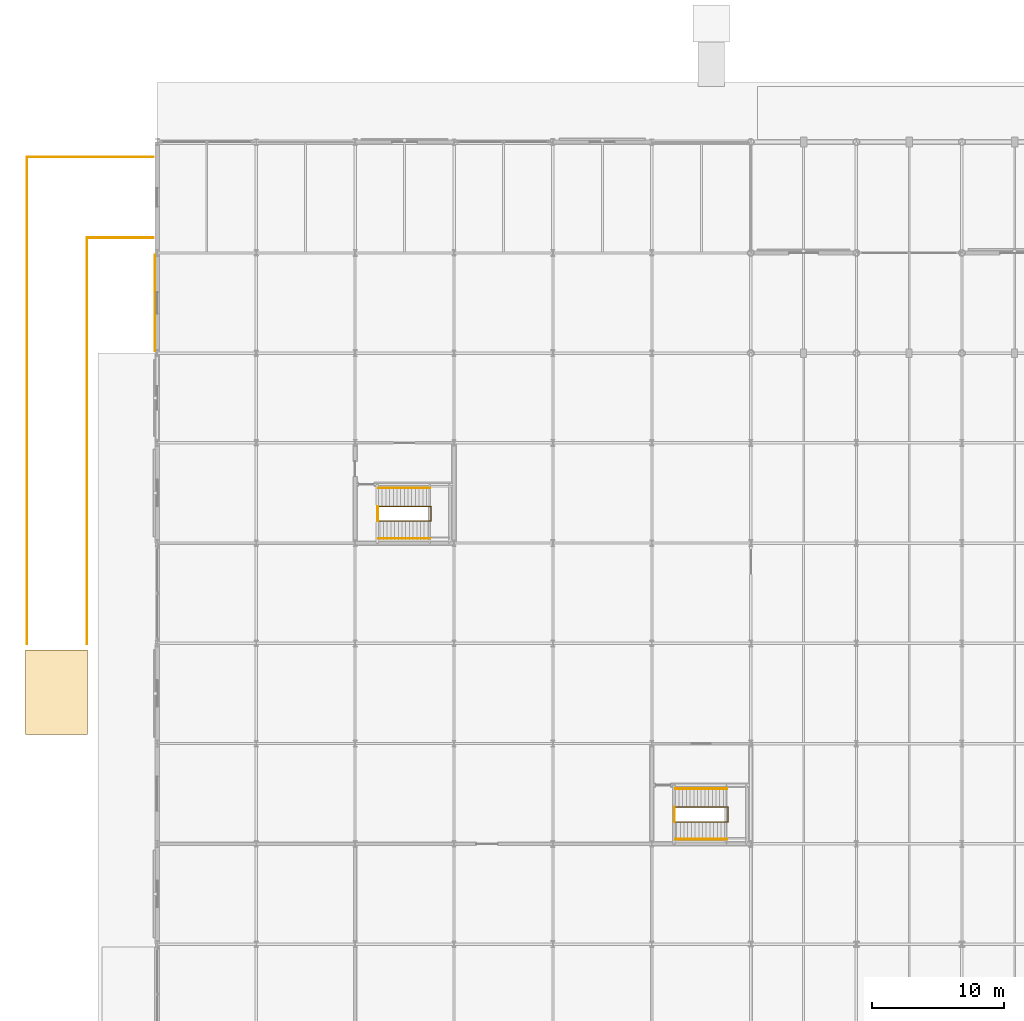
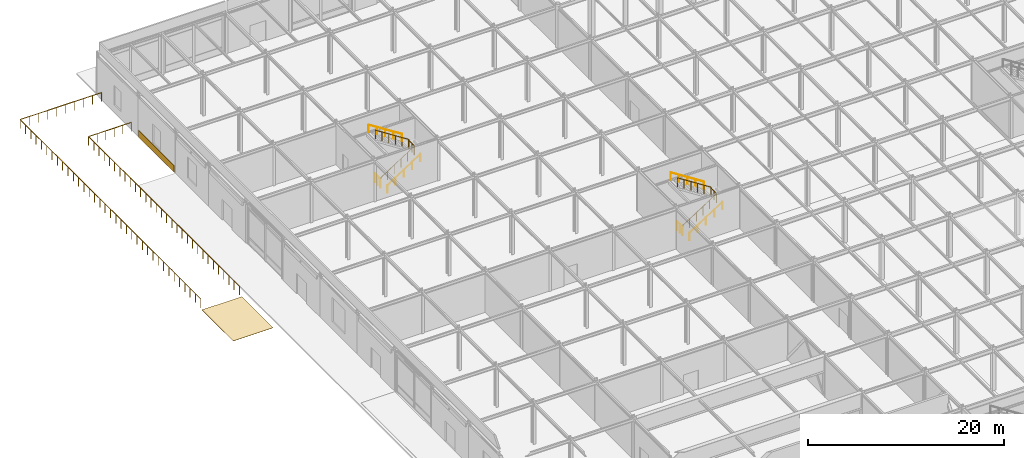
# One storey, part 84 of 89: 10 railings, 2 coverings.
"""IFC4 building model written with IfcOpenShell, lengths in metres."""

from ifc_helpers import new_model, si_unit, direction, frame, origin, origin_2d, place, context, subcontext, project, spatial, polyline, rectangle, circle, outline, extrude, material, layer, layer_set, type_object, element, save


model = new_model("IFC4")

# Units and contexts
model_context = context("Model", 3, precision=1e-05, world=origin(), true_north=direction((0.0, 1.0)))
body_context = subcontext(model_context, "Body", "Model", "MODEL_VIEW")
ifc_project = project(units=[si_unit("LENGTHUNIT", "METRE"), si_unit("AREAUNIT", "SQUARE_METRE"), si_unit("VOLUMEUNIT", "CUBIC_METRE"), si_unit("PLANEANGLEUNIT", "RADIAN"), si_unit("MASSUNIT", "GRAM", prefix="KILO")], contexts=[model_context])

# Site, building, storey
site_placement = place(None, origin())
site = spatial("IfcSite", under=ifc_project, at=site_placement, CompositionType="ELEMENT")
building_placement = place(site_placement, origin())
building = spatial("IfcBuilding", under=site, at=building_placement, Name="Shalkamar Park Central Library", CompositionType="ELEMENT")
storey_placement = place(building_placement, origin())
storey = spatial("IfcBuildingStorey", under=building, at=storey_placement, Name="L01", CompositionType="ELEMENT", Elevation=0.0)

# Coverings
ifc_material_1 = material(Name="Flamed grey granite paving", Category="masonry")
ifc_layer_1 = layer(ifc_material_1, 0.0400390625)
ifc_layer_set_1 = layer_set([ifc_layer_1], Name="FlamedGranitePlazaPaving")
covering_type_1 = type_object("IfcCoveringType", Name="Flamed Granite Plaza Paving", PredefinedType="FLOORING", material=ifc_layer_set_1)
covering_1_placement = place(storey_placement, origin())
element("IfcCovering", 1, at=covering_1_placement, inside=storey, type_object=covering_type_1, Name="West Car Park Ramp Grade Driveway Apron Paving", PredefinedType="FLOORING", context=body_context, shape_type="SweptSolid", body=[
    extrude(outline(polyline([(110.0, 309.10009765625), (114.699951171875, 309.10009765625), (114.699951171875, 315.5), (110.0, 315.5), (110.0, 309.10009765625)])), origin(), (0.0, 0.0, 1.0), 0.030029296875),
])
ifc_material_2 = material(Name="Granite and travertine stone cladding", Category="masonry")
ifc_layer_2 = layer(ifc_material_2, 0.0400390625)
ifc_layer_set_2 = layer_set([ifc_layer_2], Name="GraniteTravertineCladdingPanel")
covering_type_2 = type_object("IfcCoveringType", Name="Granite Travertine Cladding Panel", PredefinedType="CLADDING", material=ifc_layer_set_2)
covering_2_placement = place(storey_placement, frame((119.823974609375, 341.800048828125, 0.0), z_axis=(0.0, 0.0, 1.0), x_axis=(1.0, 0.0, 0.0)))
element("IfcCovering", 2, at=covering_2_placement, inside=storey, type_object=covering_type_2, Name="Granite and Travertine Cladding Panel L01-005", PredefinedType="CLADDING", context=body_context, shape_type="SweptSolid", body=[
    extrude(rectangle(XDim=0.0400390625, YDim=7.2880859375, at=origin_2d()), origin(), (0.0, 0.0, 1.0), 0.85009765625),
])

# Railings
ifc_material_3 = material(Name="Steel S355", Category="steel")
railing_type_1 = type_object("IfcRailingType", Name="Stair Guardrail 1100", PredefinedType="GUARDRAIL", material=ifc_material_3)
railing_1_placement = place(storey_placement, frame((159.27490234375, 302.465087890625, 0.179931640625)))
element("IfcRailing", 3, at=railing_1_placement, inside=storey, type_object=railing_type_1, Name="Stair Inner Well Guardrail ST-P2-L01", PredefinedType="GUARDRAIL", context=body_context, shape_type="SweptSolid", body=[
    extrude(circle(Radius=0.02392578125, at=origin_2d()), frame((0.0, 0.0, 1.076171875), z_axis=(0.841186985886, 0.0, 0.540744352514), x_axis=(0.0, 1.0, 0.0)), (0.0, 0.0, 1.0), 4.660400390625),
    extrude(circle(Radius=0.02392578125, at=origin_2d()), frame((3.920166015625, 0.0, 3.59619140625), z_axis=(1.0, 0.0, 0.0), x_axis=(0.0, 1.0, 0.0)), (0.0, 0.0, 1.0), 0.059814453125),
    extrude(circle(Radius=0.02392578125, at=origin_2d()), frame((3.97998046875, 0.0, 3.59619140625), z_axis=(0.0, 1.0, 0.0), x_axis=(-1.0, 0.0, 0.0)), (0.0, 0.0, 1.0), 1.119873046875),
    extrude(circle(Radius=0.02392578125, at=origin_2d()), frame((3.97998046875, 1.119873046875, 3.59619140625), z_axis=(-0.31545511802, 0.0, 0.948940497879), x_axis=(0.0, -1.0, 0.0)), (0.0, 0.0, 1.0), 0.189697265625),
    extrude(circle(Radius=0.02392578125, at=origin_2d()), frame((3.920166015625, 1.119873046875, 3.77587890625), z_axis=(-0.841186985886, 0.0, 0.540744352514), x_axis=(0.0, -1.0, 0.0)), (0.0, 0.0, 1.0), 4.660400390625),
    extrude(circle(Radius=0.02099609375, at=origin_2d()), origin(), (0.0, 0.0, 1.0), 1.052001953125),
    extrude(circle(Radius=0.02099609375, at=origin_2d()), frame((0.783935546875, 0.0, 0.50390625)), (0.0, 0.0, 1.0), 1.052001953125),
    extrude(circle(Radius=0.02099609375, at=origin_2d()), frame((1.568115234375, 0.0, 1.008056640625)), (0.0, 0.0, 1.0), 1.052001953125),
    extrude(circle(Radius=0.02099609375, at=origin_2d()), frame((2.35205078125, 0.0, 1.511962890625)), (0.0, 0.0, 1.0), 1.052001953125),
    extrude(circle(Radius=0.02099609375, at=origin_2d()), frame((3.13623046875, 0.0, 2.01611328125)), (0.0, 0.0, 1.0), 1.052001953125),
    extrude(circle(Radius=0.02099609375, at=origin_2d()), frame((3.920166015625, 0.0, 2.52001953125)), (0.0, 0.0, 1.0), 1.052001953125),
    extrude(circle(Radius=0.02099609375, at=origin_2d()), frame((3.97998046875, 0.0, 2.52001953125)), (0.0, 0.0, 1.0), 1.052001953125),
    extrude(circle(Radius=0.02099609375, at=origin_2d()), frame((3.97998046875, 0.56005859375, 2.52001953125)), (0.0, 0.0, 1.0), 1.052001953125),
    extrude(circle(Radius=0.02099609375, at=origin_2d()), frame((3.97998046875, 1.119873046875, 2.52001953125)), (0.0, 0.0, 1.0), 1.052001953125),
    extrude(circle(Radius=0.02099609375, at=origin_2d()), frame((3.920166015625, 1.119873046875, 2.699951171875)), (0.0, 0.0, 1.0), 1.052001953125),
    extrude(circle(Radius=0.02099609375, at=origin_2d()), frame((3.13623046875, 1.119873046875, 3.203857421875)), (0.0, 0.0, 1.0), 1.052001953125),
    extrude(circle(Radius=0.02099609375, at=origin_2d()), frame((2.35205078125, 1.119873046875, 3.7080078125)), (0.0, 0.0, 1.0), 1.052001953125),
    extrude(circle(Radius=0.02099609375, at=origin_2d()), frame((1.568115234375, 1.119873046875, 4.2119140625)), (0.0, 0.0, 1.0), 1.052001953125),
    extrude(circle(Radius=0.02099609375, at=origin_2d()), frame((0.783935546875, 1.119873046875, 4.716064453125)), (0.0, 0.0, 1.0), 1.052001953125),
    extrude(circle(Radius=0.02099609375, at=origin_2d()), frame((0.0, 1.119873046875, 5.219970703125)), (0.0, 0.0, 1.0), 1.052001953125),
])
railing_2_placement = place(storey_placement, frame((159.215087890625, 302.47509765625, 0.0)))
element("IfcRailing", 4, at=railing_2_placement, inside=storey, type_object=railing_type_1, Name="Stair Arrival Well Guardrail ST-P2 (L01)", PredefinedType="GUARDRAIL", context=body_context, shape_type="SweptSolid", body=[
    extrude(circle(Radius=0.02392578125, at=origin_2d()), frame((0.0, 0.0, 1.076171875), z_axis=(0.0, 1.0, 0.0), x_axis=(-1.0, 0.0, 0.0)), (0.0, 0.0, 1.0), 1.099853515625),
    extrude(circle(Radius=0.02099609375, at=origin_2d()), origin(), (0.0, 0.0, 1.0), 1.052001953125),
    extrude(circle(Radius=0.02099609375, at=origin_2d()), frame((0.0, 0.5498046875, 0.0)), (0.0, 0.0, 1.0), 1.052001953125),
    extrude(circle(Radius=0.02099609375, at=origin_2d()), frame((0.0, 1.099853515625, 0.0)), (0.0, 0.0, 1.0), 1.052001953125),
])
railing_3_placement = place(storey_placement, frame((136.77490234375, 325.264892578125, 0.179931640625)))
element("IfcRailing", 5, at=railing_3_placement, inside=storey, type_object=railing_type_1, Name="Stair Inner Well Guardrail ST-P5-L01", PredefinedType="GUARDRAIL", context=body_context, shape_type="SweptSolid", body=[
    extrude(circle(Radius=0.02392578125, at=origin_2d()), frame((0.0, 0.0, 1.076171875), z_axis=(0.841186985886, 0.0, 0.540744352514), x_axis=(0.0, 1.0, 0.0)), (0.0, 0.0, 1.0), 4.660400390625),
    extrude(circle(Radius=0.02392578125, at=origin_2d()), frame((3.920166015625, 0.0, 3.59619140625), z_axis=(1.0, 0.0, 0.0), x_axis=(0.0, 1.0, 0.0)), (0.0, 0.0, 1.0), 0.059814453125),
    extrude(circle(Radius=0.02392578125, at=origin_2d()), frame((3.97998046875, 0.0, 3.59619140625), z_axis=(0.0, 1.0, 0.0), x_axis=(-1.0, 0.0, 0.0)), (0.0, 0.0, 1.0), 1.1201171875),
    extrude(circle(Radius=0.02392578125, at=origin_2d()), frame((3.97998046875, 1.1201171875, 3.59619140625), z_axis=(-0.31545511802, 0.0, 0.948940497879), x_axis=(0.0, -1.0, 0.0)), (0.0, 0.0, 1.0), 0.189697265625),
    extrude(circle(Radius=0.02392578125, at=origin_2d()), frame((3.920166015625, 1.1201171875, 3.77587890625), z_axis=(-0.841186985886, 0.0, 0.540744352514), x_axis=(0.0, -1.0, 0.0)), (0.0, 0.0, 1.0), 4.660400390625),
    extrude(circle(Radius=0.02099609375, at=origin_2d()), origin(), (0.0, 0.0, 1.0), 1.052001953125),
    extrude(circle(Radius=0.02099609375, at=origin_2d()), frame((0.783935546875, 0.0, 0.50390625)), (0.0, 0.0, 1.0), 1.052001953125),
    extrude(circle(Radius=0.02099609375, at=origin_2d()), frame((1.568115234375, 0.0, 1.008056640625)), (0.0, 0.0, 1.0), 1.052001953125),
    extrude(circle(Radius=0.02099609375, at=origin_2d()), frame((2.35205078125, 0.0, 1.511962890625)), (0.0, 0.0, 1.0), 1.052001953125),
    extrude(circle(Radius=0.02099609375, at=origin_2d()), frame((3.13623046875, 0.0, 2.01611328125)), (0.0, 0.0, 1.0), 1.052001953125),
    extrude(circle(Radius=0.02099609375, at=origin_2d()), frame((3.920166015625, 0.0, 2.52001953125)), (0.0, 0.0, 1.0), 1.052001953125),
    extrude(circle(Radius=0.02099609375, at=origin_2d()), frame((3.97998046875, 0.0, 2.52001953125)), (0.0, 0.0, 1.0), 1.052001953125),
    extrude(circle(Radius=0.02099609375, at=origin_2d()), frame((3.97998046875, 0.56005859375, 2.52001953125)), (0.0, 0.0, 1.0), 1.052001953125),
    extrude(circle(Radius=0.02099609375, at=origin_2d()), frame((3.97998046875, 1.1201171875, 2.52001953125)), (0.0, 0.0, 1.0), 1.052001953125),
    extrude(circle(Radius=0.02099609375, at=origin_2d()), frame((3.920166015625, 1.1201171875, 2.699951171875)), (0.0, 0.0, 1.0), 1.052001953125),
    extrude(circle(Radius=0.02099609375, at=origin_2d()), frame((3.13623046875, 1.1201171875, 3.203857421875)), (0.0, 0.0, 1.0), 1.052001953125),
    extrude(circle(Radius=0.02099609375, at=origin_2d()), frame((2.35205078125, 1.1201171875, 3.7080078125)), (0.0, 0.0, 1.0), 1.052001953125),
    extrude(circle(Radius=0.02099609375, at=origin_2d()), frame((1.568115234375, 1.1201171875, 4.2119140625)), (0.0, 0.0, 1.0), 1.052001953125),
    extrude(circle(Radius=0.02099609375, at=origin_2d()), frame((0.783935546875, 1.1201171875, 4.716064453125)), (0.0, 0.0, 1.0), 1.052001953125),
    extrude(circle(Radius=0.02099609375, at=origin_2d()), frame((0.0, 1.1201171875, 5.219970703125)), (0.0, 0.0, 1.0), 1.052001953125),
])
railing_4_placement = place(storey_placement, frame((136.715087890625, 325.27490234375, 0.0)))
element("IfcRailing", 6, at=railing_4_placement, inside=storey, type_object=railing_type_1, Name="Stair Arrival Well Guardrail ST-P5 (L01)", PredefinedType="GUARDRAIL", context=body_context, shape_type="SweptSolid", body=[
    extrude(circle(Radius=0.02392578125, at=origin_2d()), frame((0.0, 0.0, 1.076171875), z_axis=(0.0, 1.0, 0.0), x_axis=(-1.0, 0.0, 0.0)), (0.0, 0.0, 1.0), 1.10009765625),
    extrude(circle(Radius=0.02099609375, at=origin_2d()), origin(), (0.0, 0.0, 1.0), 1.052001953125),
    extrude(circle(Radius=0.02099609375, at=origin_2d()), frame((0.0, 0.550048828125, 0.0)), (0.0, 0.0, 1.0), 1.052001953125),
    extrude(circle(Radius=0.02099609375, at=origin_2d()), frame((0.0, 1.10009765625, 0.0)), (0.0, 0.0, 1.0), 1.052001953125),
])
railing_type_2 = type_object("IfcRailingType", Name="Stair Pitched Handrail 920", PredefinedType="HANDRAIL", material=ifc_material_3)
railing_5_placement = place(storey_placement, frame((159.27490234375, 301.155029296875, 0.179931640625)))
element("IfcRailing", 7, at=railing_5_placement, inside=storey, type_object=railing_type_2, Name="Stair Wall Handrail ST-P2-L01 Flight 1", PredefinedType="HANDRAIL", context=body_context, shape_type="SweptSolid", body=[
    extrude(circle(Radius=0.02392578125, at=origin_2d()), frame((0.0, 0.0, 0.89599609375), z_axis=(0.841186985886, 0.0, 0.540744352514), x_axis=(0.0, 1.0, 0.0)), (0.0, 0.0, 1.0), 4.660400390625),
    extrude(circle(Radius=0.02099609375, at=origin_2d()), origin(), (0.0, 0.0, 1.0), 0.871826171875),
    extrude(circle(Radius=0.02099609375, at=origin_2d()), frame((0.97998046875, 0.0, 0.6298828125)), (0.0, 0.0, 1.0), 0.871826171875),
    extrude(circle(Radius=0.02099609375, at=origin_2d()), frame((1.9599609375, 0.0, 1.260009765625)), (0.0, 0.0, 1.0), 0.871826171875),
    extrude(circle(Radius=0.02099609375, at=origin_2d()), frame((2.940185546875, 0.0, 1.89013671875)), (0.0, 0.0, 1.0), 0.871826171875),
    extrude(circle(Radius=0.02099609375, at=origin_2d()), frame((3.920166015625, 0.0, 2.52001953125)), (0.0, 0.0, 1.0), 0.871826171875),
])
railing_6_placement = place(storey_placement, frame((163.195068359375, 304.97509765625, 2.8798828125)))
element("IfcRailing", 8, at=railing_6_placement, inside=storey, type_object=railing_type_2, Name="Stair Wall Handrail ST-P2-L01 Flight 2", PredefinedType="HANDRAIL", context=body_context, shape_type="SweptSolid", body=[
    extrude(circle(Radius=0.02392578125, at=origin_2d()), frame((0.0, 0.0, 0.89599609375), z_axis=(-0.841186985886, 0.0, 0.540744352514), x_axis=(0.0, -1.0, 0.0)), (0.0, 0.0, 1.0), 4.660400390625),
    extrude(circle(Radius=0.02099609375, at=origin_2d()), origin(), (0.0, 0.0, 1.0), 0.871826171875),
    extrude(circle(Radius=0.02099609375, at=origin_2d()), frame((-0.97998046875, 0.0, 0.6298828125)), (0.0, 0.0, 1.0), 0.871826171875),
    extrude(circle(Radius=0.02099609375, at=origin_2d()), frame((-1.9599609375, 0.0, 1.260009765625)), (0.0, 0.0, 1.0), 0.871826171875),
    extrude(circle(Radius=0.02099609375, at=origin_2d()), frame((-2.940185546875, 0.0, 1.89013671875)), (0.0, 0.0, 1.0), 0.871826171875),
    extrude(circle(Radius=0.02099609375, at=origin_2d()), frame((-3.920166015625, 0.0, 2.52001953125)), (0.0, 0.0, 1.0), 0.871826171875),
])
railing_7_placement = place(storey_placement, frame((136.77490234375, 323.955078125, 0.179931640625)))
element("IfcRailing", 9, at=railing_7_placement, inside=storey, type_object=railing_type_2, Name="Stair Wall Handrail ST-P5-L01 Flight 1", PredefinedType="HANDRAIL", context=body_context, shape_type="SweptSolid", body=[
    extrude(circle(Radius=0.02392578125, at=origin_2d()), frame((0.0, 0.0, 0.89599609375), z_axis=(0.841186985886, 0.0, 0.540744352514), x_axis=(0.0, 1.0, 0.0)), (0.0, 0.0, 1.0), 4.660400390625),
    extrude(circle(Radius=0.02099609375, at=origin_2d()), origin(), (0.0, 0.0, 1.0), 0.871826171875),
    extrude(circle(Radius=0.02099609375, at=origin_2d()), frame((0.97998046875, 0.0, 0.6298828125)), (0.0, 0.0, 1.0), 0.871826171875),
    extrude(circle(Radius=0.02099609375, at=origin_2d()), frame((1.9599609375, 0.0, 1.260009765625)), (0.0, 0.0, 1.0), 0.871826171875),
    extrude(circle(Radius=0.02099609375, at=origin_2d()), frame((2.940185546875, 0.0, 1.89013671875)), (0.0, 0.0, 1.0), 0.871826171875),
    extrude(circle(Radius=0.02099609375, at=origin_2d()), frame((3.920166015625, 0.0, 2.52001953125)), (0.0, 0.0, 1.0), 0.871826171875),
])
railing_8_placement = place(storey_placement, frame((140.695068359375, 327.77490234375, 2.8798828125)))
element("IfcRailing", 10, at=railing_8_placement, inside=storey, type_object=railing_type_2, Name="Stair Wall Handrail ST-P5-L01 Flight 2", PredefinedType="HANDRAIL", context=body_context, shape_type="SweptSolid", body=[
    extrude(circle(Radius=0.02392578125, at=origin_2d()), frame((0.0, 0.0, 0.89599609375), z_axis=(-0.841186985886, 0.0, 0.540744352514), x_axis=(0.0, -1.0, 0.0)), (0.0, 0.0, 1.0), 4.660400390625),
    extrude(circle(Radius=0.02099609375, at=origin_2d()), origin(), (0.0, 0.0, 1.0), 0.871826171875),
    extrude(circle(Radius=0.02099609375, at=origin_2d()), frame((-0.97998046875, 0.0, 0.6298828125)), (0.0, 0.0, 1.0), 0.871826171875),
    extrude(circle(Radius=0.02099609375, at=origin_2d()), frame((-1.9599609375, 0.0, 1.260009765625)), (0.0, 0.0, 1.0), 0.871826171875),
    extrude(circle(Radius=0.02099609375, at=origin_2d()), frame((-2.940185546875, 0.0, 1.89013671875)), (0.0, 0.0, 1.0), 0.871826171875),
    extrude(circle(Radius=0.02099609375, at=origin_2d()), frame((-3.920166015625, 0.0, 2.52001953125)), (0.0, 0.0, 1.0), 0.871826171875),
])
railing_type_3 = type_object("IfcRailingType", Name="Terrace Balustrade Guard 1100", PredefinedType="GUARDRAIL", material=ifc_material_3)
railing_9_placement = place(storey_placement, frame((110.125, 315.949951171875, 0.0)))
element("IfcRailing", 11, at=railing_9_placement, inside=storey, type_object=railing_type_3, Name="Vehicle Ramp Pit Perimeter Guardrail West-North", PredefinedType="GUARDRAIL", context=body_context, shape_type="SweptSolid", body=[
    extrude(circle(Radius=0.02392578125, at=origin_2d()), frame((0.0, 0.0, 1.076171875), z_axis=(0.0, 1.0, 0.0), x_axis=(-1.0, 0.0, 0.0)), (0.0, 0.0, 1.0), 36.925048828125),
    extrude(circle(Radius=0.02392578125, at=origin_2d()), frame((0.0, 36.925048828125, 1.076171875), z_axis=(1.0, 0.0, 0.0), x_axis=(0.0, 1.0, 0.0)), (0.0, 0.0, 1.0), 9.574951171875),
    extrude(circle(Radius=0.02099609375, at=origin_2d()), origin(), (0.0, 0.0, 1.0), 1.052001953125),
    extrude(circle(Radius=0.02099609375, at=origin_2d()), frame((0.0, 1.0859375, 0.0)), (0.0, 0.0, 1.0), 1.052001953125),
    extrude(circle(Radius=0.02099609375, at=origin_2d()), frame((0.0, 2.172119140625, 0.0)), (0.0, 0.0, 1.0), 1.052001953125),
    extrude(circle(Radius=0.02099609375, at=origin_2d()), frame((0.0, 3.258056640625, 0.0)), (0.0, 0.0, 1.0), 1.052001953125),
    extrude(circle(Radius=0.02099609375, at=origin_2d()), frame((0.0, 4.34423828125, 0.0)), (0.0, 0.0, 1.0), 1.052001953125),
    extrude(circle(Radius=0.02099609375, at=origin_2d()), frame((0.0, 5.43017578125, 0.0)), (0.0, 0.0, 1.0), 1.052001953125),
    extrude(circle(Radius=0.02099609375, at=origin_2d()), frame((0.0, 6.51611328125, 0.0)), (0.0, 0.0, 1.0), 1.052001953125),
    extrude(circle(Radius=0.02099609375, at=origin_2d()), frame((0.0, 7.602294921875, 0.0)), (0.0, 0.0, 1.0), 1.052001953125),
    extrude(circle(Radius=0.02099609375, at=origin_2d()), frame((0.0, 8.688232421875, 0.0)), (0.0, 0.0, 1.0), 1.052001953125),
    extrude(circle(Radius=0.02099609375, at=origin_2d()), frame((0.0, 9.774169921875, 0.0)), (0.0, 0.0, 1.0), 1.052001953125),
    extrude(circle(Radius=0.02099609375, at=origin_2d()), frame((0.0, 10.8603515625, 0.0)), (0.0, 0.0, 1.0), 1.052001953125),
    extrude(circle(Radius=0.02099609375, at=origin_2d()), frame((0.0, 11.9462890625, 0.0)), (0.0, 0.0, 1.0), 1.052001953125),
    extrude(circle(Radius=0.02099609375, at=origin_2d()), frame((0.0, 13.032470703125, 0.0)), (0.0, 0.0, 1.0), 1.052001953125),
    extrude(circle(Radius=0.02099609375, at=origin_2d()), frame((0.0, 14.118408203125, 0.0)), (0.0, 0.0, 1.0), 1.052001953125),
    extrude(circle(Radius=0.02099609375, at=origin_2d()), frame((0.0, 15.204345703125, 0.0)), (0.0, 0.0, 1.0), 1.052001953125),
    extrude(circle(Radius=0.02099609375, at=origin_2d()), frame((0.0, 16.29052734375, 0.0)), (0.0, 0.0, 1.0), 1.052001953125),
    extrude(circle(Radius=0.02099609375, at=origin_2d()), frame((0.0, 17.37646484375, 0.0)), (0.0, 0.0, 1.0), 1.052001953125),
    extrude(circle(Radius=0.02099609375, at=origin_2d()), frame((0.0, 18.46240234375, 0.0)), (0.0, 0.0, 1.0), 1.052001953125),
    extrude(circle(Radius=0.02099609375, at=origin_2d()), frame((0.0, 19.548583984375, 0.0)), (0.0, 0.0, 1.0), 1.052001953125),
    extrude(circle(Radius=0.02099609375, at=origin_2d()), frame((0.0, 20.634521484375, 0.0)), (0.0, 0.0, 1.0), 1.052001953125),
    extrude(circle(Radius=0.02099609375, at=origin_2d()), frame((0.0, 21.720703125, 0.0)), (0.0, 0.0, 1.0), 1.052001953125),
    extrude(circle(Radius=0.02099609375, at=origin_2d()), frame((0.0, 22.806640625, 0.0)), (0.0, 0.0, 1.0), 1.052001953125),
    extrude(circle(Radius=0.02099609375, at=origin_2d()), frame((0.0, 23.892578125, 0.0)), (0.0, 0.0, 1.0), 1.052001953125),
    extrude(circle(Radius=0.02099609375, at=origin_2d()), frame((0.0, 24.978759765625, 0.0)), (0.0, 0.0, 1.0), 1.052001953125),
    extrude(circle(Radius=0.02099609375, at=origin_2d()), frame((0.0, 26.064697265625, 0.0)), (0.0, 0.0, 1.0), 1.052001953125),
    extrude(circle(Radius=0.02099609375, at=origin_2d()), frame((0.0, 27.15087890625, 0.0)), (0.0, 0.0, 1.0), 1.052001953125),
    extrude(circle(Radius=0.02099609375, at=origin_2d()), frame((0.0, 28.23681640625, 0.0)), (0.0, 0.0, 1.0), 1.052001953125),
    extrude(circle(Radius=0.02099609375, at=origin_2d()), frame((0.0, 29.32275390625, 0.0)), (0.0, 0.0, 1.0), 1.052001953125),
    extrude(circle(Radius=0.02099609375, at=origin_2d()), frame((0.0, 30.408935546875, 0.0)), (0.0, 0.0, 1.0), 1.052001953125),
    extrude(circle(Radius=0.02099609375, at=origin_2d()), frame((0.0, 31.494873046875, 0.0)), (0.0, 0.0, 1.0), 1.052001953125),
    extrude(circle(Radius=0.02099609375, at=origin_2d()), frame((0.0, 32.580810546875, 0.0)), (0.0, 0.0, 1.0), 1.052001953125),
    extrude(circle(Radius=0.02099609375, at=origin_2d()), frame((0.0, 33.6669921875, 0.0)), (0.0, 0.0, 1.0), 1.052001953125),
    extrude(circle(Radius=0.02099609375, at=origin_2d()), frame((0.0, 34.7529296875, 0.0)), (0.0, 0.0, 1.0), 1.052001953125),
    extrude(circle(Radius=0.02099609375, at=origin_2d()), frame((0.0, 35.839111328125, 0.0)), (0.0, 0.0, 1.0), 1.052001953125),
    extrude(circle(Radius=0.02099609375, at=origin_2d()), frame((0.0, 36.925048828125, 0.0)), (0.0, 0.0, 1.0), 1.052001953125),
    extrude(circle(Radius=0.02099609375, at=origin_2d()), frame((1.06396484375, 36.925048828125, 0.0)), (0.0, 0.0, 1.0), 1.052001953125),
    extrude(circle(Radius=0.02099609375, at=origin_2d()), frame((2.127685546875, 36.925048828125, 0.0)), (0.0, 0.0, 1.0), 1.052001953125),
    extrude(circle(Radius=0.02099609375, at=origin_2d()), frame((3.191650390625, 36.925048828125, 0.0)), (0.0, 0.0, 1.0), 1.052001953125),
    extrude(circle(Radius=0.02099609375, at=origin_2d()), frame((4.255615234375, 36.925048828125, 0.0)), (0.0, 0.0, 1.0), 1.052001953125),
    extrude(circle(Radius=0.02099609375, at=origin_2d()), frame((5.3193359375, 36.925048828125, 0.0)), (0.0, 0.0, 1.0), 1.052001953125),
    extrude(circle(Radius=0.02099609375, at=origin_2d()), frame((6.38330078125, 36.925048828125, 0.0)), (0.0, 0.0, 1.0), 1.052001953125),
    extrude(circle(Radius=0.02099609375, at=origin_2d()), frame((7.447265625, 36.925048828125, 0.0)), (0.0, 0.0, 1.0), 1.052001953125),
    extrude(circle(Radius=0.02099609375, at=origin_2d()), frame((8.510986328125, 36.925048828125, 0.0)), (0.0, 0.0, 1.0), 1.052001953125),
    extrude(circle(Radius=0.02099609375, at=origin_2d()), frame((9.574951171875, 36.925048828125, 0.0)), (0.0, 0.0, 1.0), 1.052001953125),
])
railing_10_placement = place(storey_placement, frame((114.675048828125, 315.949951171875, 0.0)))
element("IfcRailing", 12, at=railing_10_placement, inside=storey, type_object=railing_type_3, Name="Vehicle Ramp Pit Perimeter Guardrail East-South", PredefinedType="GUARDRAIL", context=body_context, shape_type="SweptSolid", body=[
    extrude(circle(Radius=0.02392578125, at=origin_2d()), frame((0.0, 0.0, 1.076171875), z_axis=(0.0, 1.0, 0.0), x_axis=(-1.0, 0.0, 0.0)), (0.0, 0.0, 1.0), 30.800048828125),
    extrude(circle(Radius=0.02392578125, at=origin_2d()), frame((0.0, 30.800048828125, 1.076171875), z_axis=(1.0, 0.0, 0.0), x_axis=(0.0, 1.0, 0.0)), (0.0, 0.0, 1.0), 5.02490234375),
    extrude(circle(Radius=0.02099609375, at=origin_2d()), origin(), (0.0, 0.0, 1.0), 1.052001953125),
    extrude(circle(Radius=0.02099609375, at=origin_2d()), frame((0.0, 1.06201171875, 0.0)), (0.0, 0.0, 1.0), 1.052001953125),
    extrude(circle(Radius=0.02099609375, at=origin_2d()), frame((0.0, 2.1240234375, 0.0)), (0.0, 0.0, 1.0), 1.052001953125),
    extrude(circle(Radius=0.02099609375, at=origin_2d()), frame((0.0, 3.186279296875, 0.0)), (0.0, 0.0, 1.0), 1.052001953125),
    extrude(circle(Radius=0.02099609375, at=origin_2d()), frame((0.0, 4.248291015625, 0.0)), (0.0, 0.0, 1.0), 1.052001953125),
    extrude(circle(Radius=0.02099609375, at=origin_2d()), frame((0.0, 5.310302734375, 0.0)), (0.0, 0.0, 1.0), 1.052001953125),
    extrude(circle(Radius=0.02099609375, at=origin_2d()), frame((0.0, 6.372314453125, 0.0)), (0.0, 0.0, 1.0), 1.052001953125),
    extrude(circle(Radius=0.02099609375, at=origin_2d()), frame((0.0, 7.4345703125, 0.0)), (0.0, 0.0, 1.0), 1.052001953125),
    extrude(circle(Radius=0.02099609375, at=origin_2d()), frame((0.0, 8.49658203125, 0.0)), (0.0, 0.0, 1.0), 1.052001953125),
    extrude(circle(Radius=0.02099609375, at=origin_2d()), frame((0.0, 9.55859375, 0.0)), (0.0, 0.0, 1.0), 1.052001953125),
    extrude(circle(Radius=0.02099609375, at=origin_2d()), frame((0.0, 10.62060546875, 0.0)), (0.0, 0.0, 1.0), 1.052001953125),
    extrude(circle(Radius=0.02099609375, at=origin_2d()), frame((0.0, 11.682861328125, 0.0)), (0.0, 0.0, 1.0), 1.052001953125),
    extrude(circle(Radius=0.02099609375, at=origin_2d()), frame((0.0, 12.744873046875, 0.0)), (0.0, 0.0, 1.0), 1.052001953125),
    extrude(circle(Radius=0.02099609375, at=origin_2d()), frame((0.0, 13.806884765625, 0.0)), (0.0, 0.0, 1.0), 1.052001953125),
    extrude(circle(Radius=0.02099609375, at=origin_2d()), frame((0.0, 14.868896484375, 0.0)), (0.0, 0.0, 1.0), 1.052001953125),
    extrude(circle(Radius=0.02099609375, at=origin_2d()), frame((0.0, 15.93115234375, 0.0)), (0.0, 0.0, 1.0), 1.052001953125),
    extrude(circle(Radius=0.02099609375, at=origin_2d()), frame((0.0, 16.9931640625, 0.0)), (0.0, 0.0, 1.0), 1.052001953125),
    extrude(circle(Radius=0.02099609375, at=origin_2d()), frame((0.0, 18.05517578125, 0.0)), (0.0, 0.0, 1.0), 1.052001953125),
    extrude(circle(Radius=0.02099609375, at=origin_2d()), frame((0.0, 19.1171875, 0.0)), (0.0, 0.0, 1.0), 1.052001953125),
    extrude(circle(Radius=0.02099609375, at=origin_2d()), frame((0.0, 20.179443359375, 0.0)), (0.0, 0.0, 1.0), 1.052001953125),
    extrude(circle(Radius=0.02099609375, at=origin_2d()), frame((0.0, 21.241455078125, 0.0)), (0.0, 0.0, 1.0), 1.052001953125),
    extrude(circle(Radius=0.02099609375, at=origin_2d()), frame((0.0, 22.303466796875, 0.0)), (0.0, 0.0, 1.0), 1.052001953125),
    extrude(circle(Radius=0.02099609375, at=origin_2d()), frame((0.0, 23.365478515625, 0.0)), (0.0, 0.0, 1.0), 1.052001953125),
    extrude(circle(Radius=0.02099609375, at=origin_2d()), frame((0.0, 24.427734375, 0.0)), (0.0, 0.0, 1.0), 1.052001953125),
    extrude(circle(Radius=0.02099609375, at=origin_2d()), frame((0.0, 25.48974609375, 0.0)), (0.0, 0.0, 1.0), 1.052001953125),
    extrude(circle(Radius=0.02099609375, at=origin_2d()), frame((0.0, 26.5517578125, 0.0)), (0.0, 0.0, 1.0), 1.052001953125),
    extrude(circle(Radius=0.02099609375, at=origin_2d()), frame((0.0, 27.61376953125, 0.0)), (0.0, 0.0, 1.0), 1.052001953125),
    extrude(circle(Radius=0.02099609375, at=origin_2d()), frame((0.0, 28.676025390625, 0.0)), (0.0, 0.0, 1.0), 1.052001953125),
    extrude(circle(Radius=0.02099609375, at=origin_2d()), frame((0.0, 29.738037109375, 0.0)), (0.0, 0.0, 1.0), 1.052001953125),
    extrude(circle(Radius=0.02099609375, at=origin_2d()), frame((0.0, 30.800048828125, 0.0)), (0.0, 0.0, 1.0), 1.052001953125),
    extrude(circle(Radius=0.02099609375, at=origin_2d()), frame((1.0048828125, 30.800048828125, 0.0)), (0.0, 0.0, 1.0), 1.052001953125),
    extrude(circle(Radius=0.02099609375, at=origin_2d()), frame((2.010009765625, 30.800048828125, 0.0)), (0.0, 0.0, 1.0), 1.052001953125),
    extrude(circle(Radius=0.02099609375, at=origin_2d()), frame((3.014892578125, 30.800048828125, 0.0)), (0.0, 0.0, 1.0), 1.052001953125),
    extrude(circle(Radius=0.02099609375, at=origin_2d()), frame((4.02001953125, 30.800048828125, 0.0)), (0.0, 0.0, 1.0), 1.052001953125),
    extrude(circle(Radius=0.02099609375, at=origin_2d()), frame((5.02490234375, 30.800048828125, 0.0)), (0.0, 0.0, 1.0), 1.052001953125),
])

save(model, "model.ifc")
